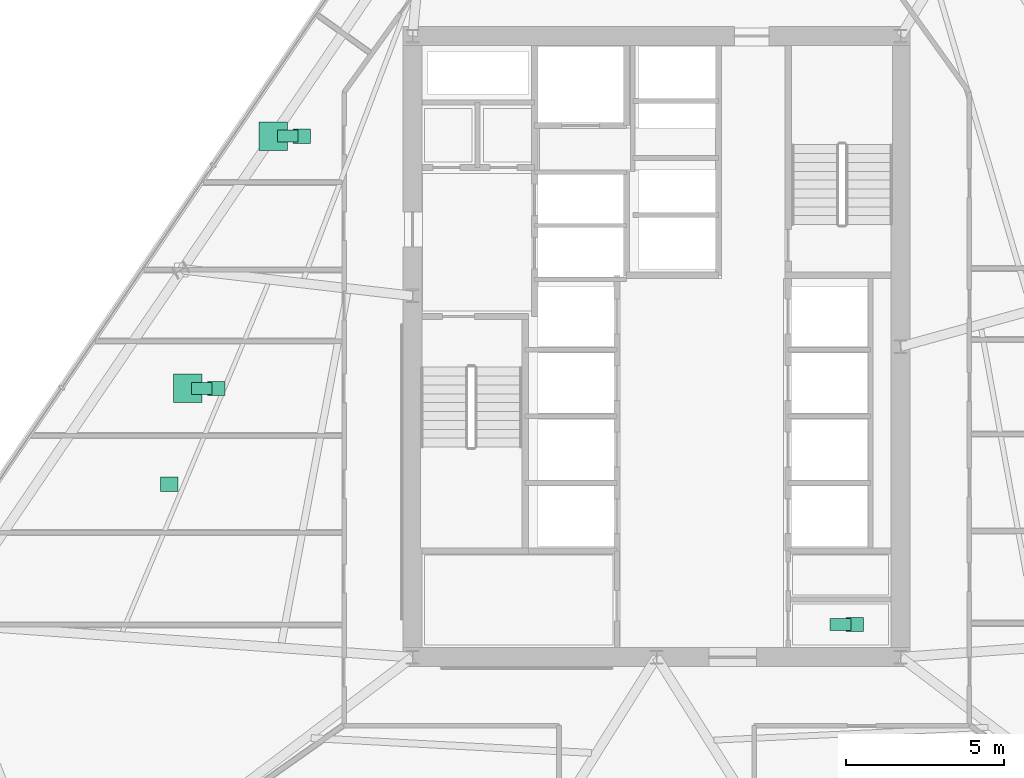
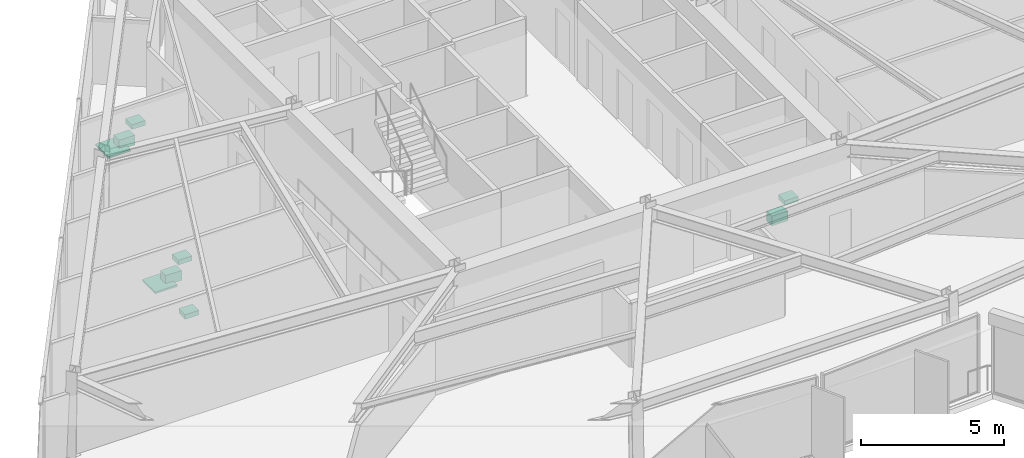
# One storey, part 15 of 15: 9 sanitary terminals.
"""IFC4 building model written with IfcOpenShell, lengths in metres."""

import ifcopenshell
import ifcopenshell.guid

model = None  # the IFC model being written
_history = None  # IfcOwnerHistory: only IFC2X3 demands one
_inside = {}  # id of a spatial element -> (the spatial element, [elements in it])
_under = {}  # id of a project, library or spatial element -> (it, [spatial elements below it])
_declared = {}  # id of a project -> (the project, [libraries it declares])
_typed = {}  # id of a type object -> (the type object, [elements of that type])
_made_of = {}  # id of a material, layer set ... -> (it, [elements and type objects made of it])


def new_model(schema):
    """Start an empty IFC model of exactly this schema.

    Asked for "IFC4X3", IfcOpenShell would pick the latest addendum, in which some entities
    have other attributes; the version numbers below select the first issue.
    IFC2X3 requires an IfcOwnerHistory on every rooted entity: one is made here for all.
    """
    global model, _history
    if schema == "IFC4X3":
        model = ifcopenshell.file(schema_version=(4, 3, 0, 0))
    else:
        model = ifcopenshell.file(schema=schema)
    _inside.clear()
    _under.clear()
    _declared.clear()
    _typed.clear()
    _made_of.clear()
    _history = None
    if model.schema == "IFC2X3":
        org = make("IfcOrganization", Name="unknown")
        user = make(
            "IfcPersonAndOrganization",
            ThePerson=make("IfcPerson", FamilyName="unknown"),
            TheOrganization=org,
        )
        app = make(
            "IfcApplication",
            ApplicationDeveloper=org,
            Version="unknown",
            ApplicationFullName="unknown",
            ApplicationIdentifier="unknown",
        )
        _history = make(
            "IfcOwnerHistory",
            OwningUser=user,
            OwningApplication=app,
            ChangeAction="ADDED",
            CreationDate=0,
        )
    return model


def make(cls, **values):
    """One entity of the class cls with the attributes given. An attribute that is None is left unset."""
    return model.create_entity(
        cls, **{name: value for name, value in values.items() if value is not None}
    )


def rooted(cls, **values):
    """An entity with a GlobalId (a new one), such as an element, a storey or a relation."""
    return make(cls, GlobalId=ifcopenshell.guid.new(), OwnerHistory=_history, **values)


def si_unit(unit_type, name, prefix=None):
    """IfcSIUnit, for example si_unit("LENGTHUNIT", "METRE", prefix="MILLI")."""
    return make("IfcSIUnit", UnitType=unit_type, Prefix=prefix, Name=name)


def assignment(units):
    """IfcUnitAssignment: the units of a project."""
    return None if units is None else make("IfcUnitAssignment", Units=units)


def point(xyz):
    """IfcCartesianPoint."""
    return None if xyz is None else make("IfcCartesianPoint", Coordinates=xyz)


def direction(xyz):
    """IfcDirection."""
    return None if xyz is None else make("IfcDirection", DirectionRatios=xyz)


def frame(location, z_axis=None, x_axis=None):
    """IfcAxis2Placement3D, a coordinate frame: its origin and axes. An axis left out is left unset."""
    return make(
        "IfcAxis2Placement3D",
        Location=point(location),
        Axis=direction(z_axis),
        RefDirection=direction(x_axis),
    )


def frame_2d(location, x_axis=None):
    """IfcAxis2Placement2D, a coordinate frame in the plane: its origin and x axis."""
    return make(
        "IfcAxis2Placement2D", Location=point(location), RefDirection=direction(x_axis)
    )


def origin():
    """The frame at (0, 0, 0) with its axes left unset."""
    return frame((0.0, 0.0, 0.0))


def origin_2d():
    """The frame at (0, 0) in the plane with its x axis left unset."""
    return frame_2d((0.0, 0.0))


def place(relative_to, where):
    """IfcLocalPlacement: puts the frame where relative to a parent placement (None: the world)."""
    return make(
        "IfcLocalPlacement", PlacementRelTo=relative_to, RelativePlacement=where
    )


def context(
    kind, dimensions, precision=None, world=None, true_north=None, identifier=None
):
    """IfcGeometricRepresentationContext, for example the 3D "Model" context."""
    return make(
        "IfcGeometricRepresentationContext",
        ContextIdentifier=identifier,
        ContextType=kind,
        CoordinateSpaceDimension=dimensions,
        Precision=precision,
        WorldCoordinateSystem=world,
        TrueNorth=true_north,
    )


def subcontext(parent, identifier, kind, view, scale=None):
    """IfcGeometricRepresentationSubContext, for example "Body" below "Model"."""
    return make(
        "IfcGeometricRepresentationSubContext",
        ContextIdentifier=identifier,
        ContextType=kind,
        ParentContext=parent,
        TargetScale=scale,
        TargetView=view,
    )


def project(units=None, contexts=None):
    """IfcProject with its units and contexts."""
    return rooted(
        "IfcProject",
        Name="project",
        RepresentationContexts=contexts,
        UnitsInContext=assignment(units),
    )


def spatial(cls, under=None, at=None, **own):
    """A site, building, storey or space (cls), placed at a placement, below another one or the project."""
    s = rooted(cls, ObjectPlacement=at, **own)
    if under is not None:
        _under.setdefault(under.id(), (under, []))[1].append(s)
    return s


def profile(cls, at=None, kind="AREA", **sizes):
    """A parametric profile (cls). Its sizes go by their IFC names, for example OverallWidth=200.0."""
    return make(cls, ProfileType=kind, Position=at, **sizes)


def rectangle(**sizes):
    """IfcRectangleProfileDef."""
    return profile("IfcRectangleProfileDef", **sizes)


def extrude(swept, where, along, depth):
    """IfcExtrudedAreaSolid: the profile swept, set in the frame where, extruded along a direction by depth."""
    return make(
        "IfcExtrudedAreaSolid",
        SweptArea=swept,
        Position=where,
        ExtrudedDirection=direction(along),
        Depth=depth,
    )


def shape(context_of_items, identifier, shape_type, items):
    """IfcShapeRepresentation: the items that make up one representation, for example the "Body"."""
    return make(
        "IfcShapeRepresentation",
        ContextOfItems=context_of_items,
        RepresentationIdentifier=identifier,
        RepresentationType=shape_type,
        Items=items,
    )


def material(Name=None, Category=None):
    """IfcMaterial."""
    return make("IfcMaterial", Name=Name, Category=Category)


def made_of(thing, what):
    """Note that an element or type object is made of a material, layer set ...; save() writes the relation."""
    if what is not None:
        _made_of.setdefault(what.id(), (what, []))[1].append(thing)
    return thing


def type_object(cls, material=None, **own):
    """A type object (cls), such as IfcWallType, which elements share."""
    return made_of(rooted(cls, **own), material)


def element(
    cls,
    number,
    at=None,
    inside=None,
    cuts=None,
    type_object=None,
    material=None,
    context=None,
    identifier="Body",
    shape_type=None,
    held_by="IfcProductDefinitionShape",
    body=None,
    shapes=None,
    **own,
):
    """One element of the class cls, such as IfcWall. Its Tag is "e" and its number.

    at: its placement. inside: the storey or other place that contains it. cuts: it is an
    opening in that element (IfcRelVoidsElement). A single representation is given by context,
    identifier, shape_type and body (its items); several are given by shapes. held_by: the class
    of the entity that holds the representations. save() writes the other relations.
    """
    e = rooted(cls, Tag="e%d" % number, ObjectPlacement=at, **own)
    if body is not None:
        shapes = [shape(context, identifier, shape_type, body)]
    if shapes is not None:
        e.Representation = make(held_by, Representations=shapes)
    if inside is not None:
        _inside.setdefault(inside.id(), (inside, []))[1].append(e)
    if cuts is not None:
        rooted(
            "IfcRelVoidsElement", RelatingBuildingElement=cuts, RelatedOpeningElement=e
        )
    if type_object is not None:
        _typed.setdefault(type_object.id(), (type_object, []))[1].append(e)
    return made_of(e, material)


def aggregate(whole, parts):
    """IfcRelAggregates: a whole, such as a stair, and the parts it consists of."""
    return rooted("IfcRelAggregates", RelatingObject=whole, RelatedObjects=parts)


def save(model, path):
    """Write the relations noted so far, then the file.

    IfcRelAggregates (storeys below a building ...), IfcRelContainedInSpatialStructure (elements
    in a storey), IfcRelDefinesByType, IfcRelAssociatesMaterial and IfcRelDeclares: one each for
    every whole, place, type object, material and project.
    """
    for whole, parts in _under.values():
        aggregate(whole, parts)
    for where, things in _inside.values():
        rooted(
            "IfcRelContainedInSpatialStructure",
            RelatedElements=things,
            RelatingStructure=where,
        )
    for kind, things in _typed.values():
        rooted("IfcRelDefinesByType", RelatedObjects=things, RelatingType=kind)
    for what, things in _made_of.values():
        rooted("IfcRelAssociatesMaterial", RelatedObjects=things, RelatingMaterial=what)
    for by, libraries in _declared.values():
        rooted("IfcRelDeclares", RelatingContext=by, RelatedDefinitions=libraries)
    model.write(path)


model = new_model("IFC4")

# Units and contexts
model_context = context("Model", 3, precision=1e-05, world=origin(), true_north=direction((0.0, 1.0)))
body_context = subcontext(model_context, "Body", "Model", "MODEL_VIEW")
ifc_project = project(units=[si_unit("LENGTHUNIT", "METRE"), si_unit("AREAUNIT", "SQUARE_METRE"), si_unit("VOLUMEUNIT", "CUBIC_METRE"), si_unit("PLANEANGLEUNIT", "RADIAN"), si_unit("MASSUNIT", "GRAM", prefix="KILO")], contexts=[model_context])

# Site, building, storey
site_placement = place(None, origin())
site = spatial("IfcSite", under=ifc_project, at=site_placement, CompositionType="ELEMENT")
building_placement = place(site_placement, origin())
building = spatial("IfcBuilding", under=site, at=building_placement, Name="Savorim Split Tower", CompositionType="ELEMENT")
storey_placement = place(building_placement, frame((0.0, 0.0, 96.89990234375)))
storey = spatial("IfcBuildingStorey", under=building, at=storey_placement, Name="L25", CompositionType="ELEMENT", Elevation=96.89990234375)

# Sanitary terminals
ifc_material = material(Name="Vitreous China Sanitaryware")
sanitary_terminal_type_1 = type_object("IfcSanitaryTerminalType", Name="SAN-SHW-900", PredefinedType="SHOWER", material=ifc_material)
for number, where, z_axis, x_axis, name in (
    (1, (-14.799560546875, -0.919677734375, 0.0), (0.0, 0.0, 1.0), (1.0, 0.0, 0.0), "L25 Shared Bathroom Shower"),
    (2, (-12.09228515625, 7.039306640625, 0.0), (0.0, 0.0, 1.0), (1.0, 0.0, 0.0), "L25 Shared Bathroom Shower"),
):
    element("IfcSanitaryTerminal", number, at=place(storey_placement, frame(where, z_axis=z_axis, x_axis=x_axis)), inside=storey, type_object=sanitary_terminal_type_1, Name=name, PredefinedType="SHOWER", context=body_context, shape_type="SweptSolid", body=[
        extrude(rectangle(XDim=0.89990234375, YDim=0.89990234375, at=origin_2d()), origin(), (0.0, 0.0, 1.0), 0.080078125),
    ])
sanitary_terminal_type_2 = type_object("IfcSanitaryTerminalType", Name="SAN-WC-PAN", PredefinedType="TOILETPAN", material=ifc_material)
for number, where, z_axis, x_axis, name in (
    (3, (5.800048828125, -8.3701171875, 0.000244140625), (0.0, 0.0, 1.0), (1.0, 0.0, 0.0), "L25 Accessible WC WC Pan"),
    (4, (-14.349609375, -0.919677734375, 0.000244140625), (0.0, 0.0, 1.0), (1.0, 0.0, 0.0), "L25 Shared Bathroom WC Pan"),
    (5, (-11.642333984375, 7.039306640625, 0.000244140625), (0.0, 0.0, 1.0), (1.0, 0.0, 0.0), "L25 Shared Bathroom WC Pan"),
):
    element("IfcSanitaryTerminal", number, at=place(storey_placement, frame(where, z_axis=z_axis, x_axis=x_axis)), inside=storey, type_object=sanitary_terminal_type_2, Name=name, PredefinedType="TOILETPAN", context=body_context, shape_type="SweptSolid", body=[
        extrude(rectangle(XDim=0.64990234375, YDim=0.3798828125, at=origin_2d()), origin(), (0.0, 0.0, 1.0), 0.419921875),
    ])
sanitary_terminal_type_3 = type_object("IfcSanitaryTerminalType", Name="SAN-WHB-550", PredefinedType="WASHHANDBASIN", material=ifc_material)
for number, where, z_axis, x_axis, name in (
    (6, (6.25, -8.3701171875, 0.72021484375), (0.0, 0.0, 1.0), (1.0, 0.0, 0.0), "L25 Accessible WC Washhand Basin"),
    (7, (-13.8994140625, -0.919677734375, 0.72021484375), (0.0, 0.0, 1.0), (1.0, 0.0, 0.0), "L25 Shared Bathroom Washhand Basin"),
    (8, (-15.376708984375, -3.940185546875, 0.75), (0.0, 0.0, 1.0), (1.0, 0.0, 0.0), "L25 Shared Kitchen Utility Sink"),
    (9, (-11.1923828125, 7.039306640625, 0.72021484375), (0.0, 0.0, 1.0), (1.0, 0.0, 0.0), "L25 Shared Bathroom Washhand Basin"),
):
    element("IfcSanitaryTerminal", number, at=place(storey_placement, frame(where, z_axis=z_axis, x_axis=x_axis)), inside=storey, type_object=sanitary_terminal_type_3, Name=name, PredefinedType="WASHHANDBASIN", context=body_context, shape_type="SweptSolid", body=[
        extrude(rectangle(XDim=0.550048828125, YDim=0.449951171875, at=origin_2d()), origin(), (0.0, 0.0, 1.0), 0.199951171875),
    ])

save(model, "model.ifc")
